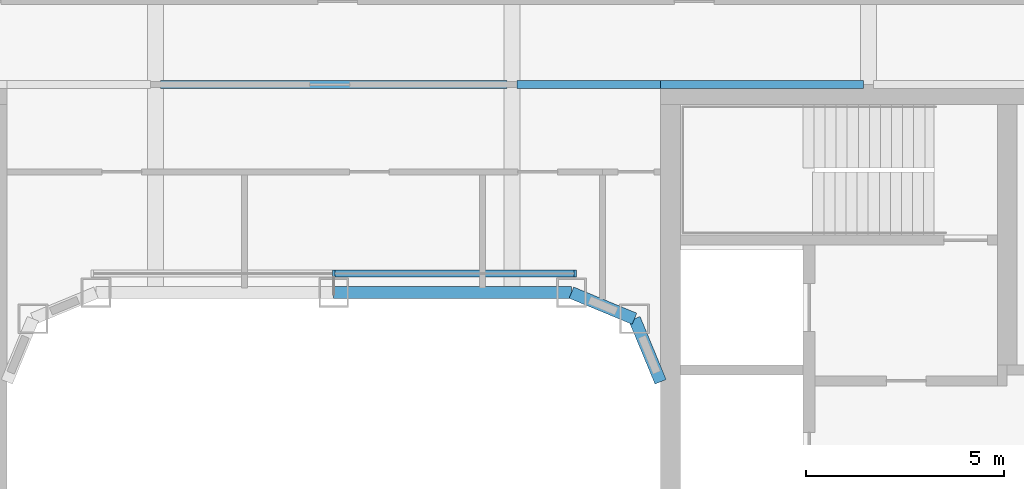
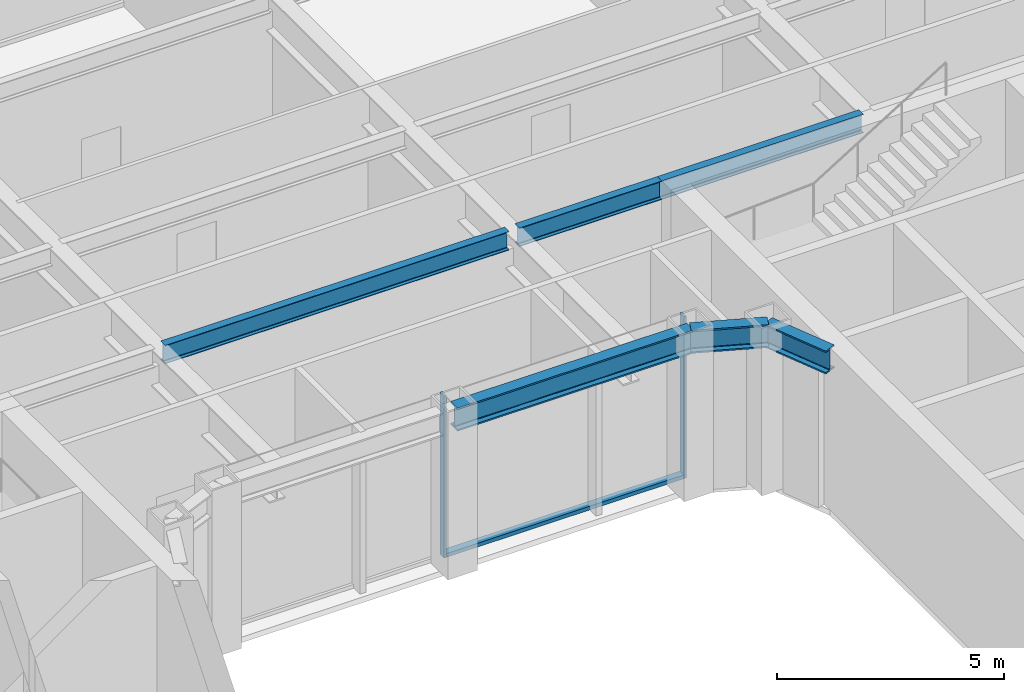
# One storey, part 8 of 27: 6 beams, 3 members, 1 element without a shape of its own.
"""IFC4 building model written with IfcOpenShell, lengths in metres."""

from ifc_helpers import new_model, si_unit, direction, frame, origin, origin_2d, place, context, subcontext, project, spatial, rectangle, i_section, extrude, material, layer, layer_set, material_profile, profile_set, type_object, element, aggregate, save


model = new_model("IFC4")

# Units and contexts
model_context = context("Model", 3, precision=1e-05, world=origin(), true_north=direction((0.0, 1.0)))
body_context = subcontext(model_context, "Body", "Model", "MODEL_VIEW")
ifc_project = project(units=[si_unit("LENGTHUNIT", "METRE"), si_unit("AREAUNIT", "SQUARE_METRE"), si_unit("VOLUMEUNIT", "CUBIC_METRE"), si_unit("PLANEANGLEUNIT", "RADIAN"), si_unit("MASSUNIT", "GRAM", prefix="KILO")], contexts=[model_context])

# Site, building, storey
site_placement = place(None, origin())
site = spatial("IfcSite", under=ifc_project, at=site_placement, CompositionType="ELEMENT")
building_placement = place(site_placement, origin())
building = spatial("IfcBuilding", under=site, at=building_placement, Name="Siwar Civic Tower", CompositionType="ELEMENT")
storey_placement = place(building_placement, frame((0.0, 0.0, 53.699951171875)))
storey = spatial("IfcBuildingStorey", under=building, at=storey_placement, Name="L11", CompositionType="ELEMENT", Elevation=53.699951171875)

# Curtain wall, members
ifc_material_1 = material(Name="Aluminium and glass", Category="aluminium")
ifc_layer = layer(ifc_material_1, 0.179931640625)
ifc_layer_set = layer_set([ifc_layer], Name="Aluminium and glass")
curtain_wall_type = type_object("IfcCurtainWallType", Name="ENV-CW-W", PredefinedType="NOTDEFINED", material=ifc_layer_set)
curtain_wall_placement = place(storey_placement, origin())
curtain_wall = element("IfcCurtainWall", 1, at=curtain_wall_placement, inside=storey, type_object=curtain_wall_type, Name="Curtain wall W WN", PredefinedType="NOTDEFINED")
ifc_material_2 = material(Name="Aluminium 6063-T6", Category="aluminium")
ifc_material_profile_1 = material_profile(ifc_material_2, rectangle(XDim=0.179931640625, YDim=0.06005859375, at=origin_2d()), Name="AL 180x60")
ifc_profile_set_1 = profile_set([ifc_material_profile_1], Name="Aluminium 6063-T6")
member_type_1 = type_object("IfcMemberType", Name="ENV-MULLION-W", PredefinedType="MULLION", material=ifc_profile_set_1)
member_1_placement = place(storey_placement, frame((6.096435546875, 8.735107421875, 0.0), z_axis=(0.0, 0.0, 1.0), x_axis=(0.0, -1.0, 0.0)))
member_1 = element("IfcMember", 2, at=member_1_placement, type_object=member_type_1, Name="Mullion W WN 1", PredefinedType="MULLION", context=body_context, shape_type="SweptSolid", body=[
    extrude(rectangle(XDim=0.179931640625, YDim=0.06005859375, at=origin_2d()), origin(), (0.0, 0.0, 1.0), 4.35009765625),
])
member_2_placement = place(storey_placement, frame((0.0, 8.735107421875, 0.0), z_axis=(0.0, 0.0, 1.0), x_axis=(0.0, -1.0, 0.0)))
member_2 = element("IfcMember", 3, at=member_2_placement, type_object=member_type_1, Name="Mullion W WN 2", PredefinedType="MULLION", context=body_context, shape_type="SweptSolid", body=[
    extrude(rectangle(XDim=0.179931640625, YDim=0.06005859375, at=origin_2d()), origin(), (0.0, 0.0, 1.0), 4.35009765625),
])
ifc_material_3 = material(Name="Aluminium 6063-T6", Category="aluminium")
ifc_material_profile_2 = material_profile(ifc_material_3, rectangle(XDim=0.179931640625, YDim=0.10009765625, at=origin_2d()), Name="AL 180x100")
ifc_profile_set_2 = profile_set([ifc_material_profile_2], Name="Aluminium 6063-T6")
member_type_2 = type_object("IfcMemberType", Name="ENV-TRANSOM-W", PredefinedType="USERDEFINED", material=ifc_profile_set_2)
member_3_placement = place(storey_placement, frame((6.06640625, 8.735107421875, 0.050048828125), z_axis=(-1.0, 0.0, 0.0), x_axis=(0.0, -1.0, 0.0)))
member_3 = element("IfcMember", 4, at=member_3_placement, type_object=member_type_2, Name="Transom W WN 1", ObjectType="TRANSOM", PredefinedType="USERDEFINED", context=body_context, shape_type="SweptSolid", body=[
    extrude(rectangle(XDim=0.179931640625, YDim=0.10009765625, at=origin_2d()), origin(), (0.0, 0.0, 1.0), 6.036376953125),
])
aggregate(curtain_wall, [member_1, member_2, member_3])

# Beams
ifc_material_4 = material(Name="Steel S355", Category="steel")
ifc_material_profile_3 = material_profile(ifc_material_4, i_section(OverallWidth=0.199951171875, OverallDepth=0.5, WebThickness=0.01025390625, FlangeThickness=0.01611328125, FilletRadius=0.02099609375, at=origin_2d()), Name="IPE500")
ifc_profile_set_3 = profile_set([ifc_material_profile_3], Name="Steel S355")
beam_type_1 = type_object("IfcBeamType", Name="STR-FB-IPE500", PredefinedType="JOIST", material=ifc_profile_set_3)
beam_1_placement = place(storey_placement, frame((-4.3701171875, 13.5, 4.10009765625), z_axis=(1.0, 0.0, 0.0), x_axis=(0.0, 1.0, 0.0)))
element("IfcBeam", 5, at=beam_1_placement, inside=storey, type_object=beam_type_1, Name="L11/bm/F041", PredefinedType="JOIST", context=body_context, shape_type="SweptSolid", body=[
    extrude(i_section(OverallWidth=0.199951171875, OverallDepth=0.5, WebThickness=0.01025390625, FlangeThickness=0.01611328125, FilletRadius=0.02099609375, at=origin_2d()), origin(), (0.0, 0.0, 1.0), 8.740234375),
])
beam_2_placement = place(storey_placement, frame((4.6298828125, 13.5, 4.10009765625), z_axis=(1.0, 0.0, 0.0), x_axis=(0.0, 1.0, 0.0)))
element("IfcBeam", 6, at=beam_2_placement, inside=storey, type_object=beam_type_1, Name="L11/bm/F042", PredefinedType="JOIST", context=body_context, shape_type="SweptSolid", body=[
    extrude(i_section(OverallWidth=0.199951171875, OverallDepth=0.5, WebThickness=0.01025390625, FlangeThickness=0.01611328125, FilletRadius=0.02099609375, at=origin_2d()), origin(), (0.0, 0.0, 1.0), 3.6201171875),
])
beam_3_placement = place(storey_placement, frame((8.25, 13.5, 4.10009765625), z_axis=(1.0, 0.0, 0.0), x_axis=(0.0, 1.0, 0.0)))
element("IfcBeam", 7, at=beam_3_placement, inside=storey, type_object=beam_type_1, Name="L11/bm/F043", PredefinedType="JOIST", context=body_context, shape_type="SweptSolid", body=[
    extrude(i_section(OverallWidth=0.199951171875, OverallDepth=0.5, WebThickness=0.01025390625, FlangeThickness=0.01611328125, FilletRadius=0.02099609375, at=origin_2d()), origin(), (0.0, 0.0, 1.0), 5.1201171875),
])
ifc_material_5 = material(Name="Steel S355", Category="steel")
ifc_material_profile_4 = material_profile(ifc_material_5, i_section(OverallWidth=0.304931640625, OverallDepth=0.6201171875, WebThickness=0.02099609375, FlangeThickness=0.0400390625, FilletRadius=0.027099609375, at=origin_2d()), Name="HEM600")
ifc_profile_set_4 = profile_set([ifc_material_profile_4], Name="Steel S355")
beam_type_2 = type_object("IfcBeamType", Name="STR-RB-HEM600", PredefinedType="BEAM", material=ifc_profile_set_4)
beam_4_placement = place(storey_placement, frame((0.0, 8.25, 4.0400390625), z_axis=(1.0, 0.0, 0.0), x_axis=(0.0, 1.0, 0.0)))
element("IfcBeam", 8, at=beam_4_placement, inside=storey, type_object=beam_type_2, Name="L11/bm/RN2", PredefinedType="BEAM", context=body_context, shape_type="SweptSolid", body=[
    extrude(i_section(OverallWidth=0.304931640625, OverallDepth=0.6201171875, WebThickness=0.02099609375, FlangeThickness=0.0400390625, FilletRadius=0.027099609375, at=origin_2d()), origin(), (0.0, 0.0, 1.0), 6.0),
])
for number, where, z_axis, x_axis, name in (
    (9, (6.0, 8.25, 4.0400390625), (0.923901072997, -0.382631424892, 0.0), (0.382631424892, 0.923901072997, 0.0), "L11/bm/RN3"),
    (10, (7.591064453125, 7.591064453125, 4.0400390625), (0.382631424892, -0.923901072997, 0.0), (0.923901072997, 0.382631424892, 0.0), "L11/bm/RNEE"),
):
    element("IfcBeam", number, at=place(storey_placement, frame(where, z_axis=z_axis, x_axis=x_axis)), inside=storey, type_object=beam_type_2, Name=name, PredefinedType="BEAM", context=body_context, shape_type="SweptSolid", body=[
        extrude(i_section(OverallWidth=0.304931640625, OverallDepth=0.6201171875, WebThickness=0.02099609375, FlangeThickness=0.0400390625, FilletRadius=0.027099609375, at=origin_2d()), origin(), (0.0, 0.0, 1.0), 1.72216796875),
    ])

save(model, "model.ifc")
